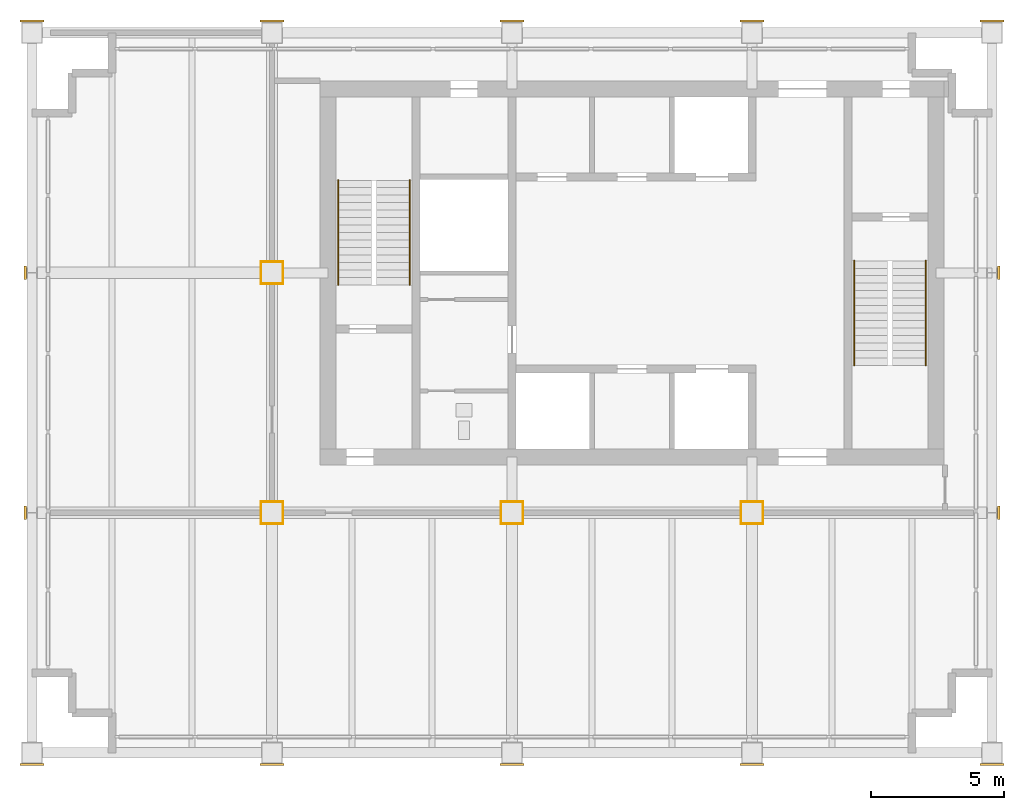
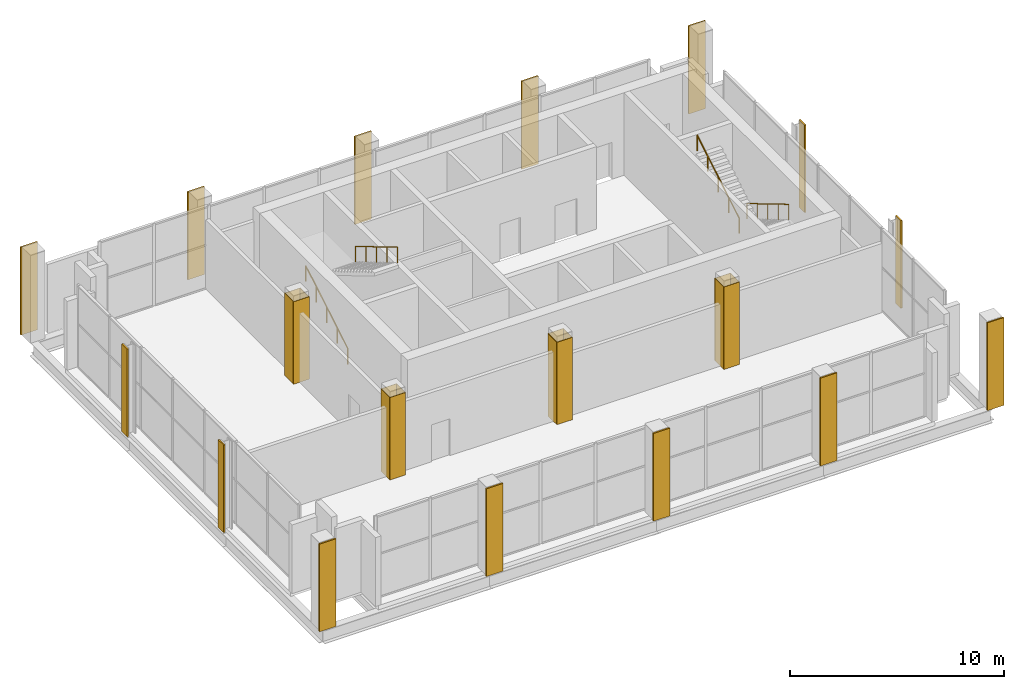
# One storey, part 9 of 10: 30 coverings, 4 railings.
"""IFC4 building model written with IfcOpenShell, lengths in metres."""

from ifc_helpers import new_model, si_unit, direction, frame, origin, origin_2d, place, context, subcontext, project, spatial, rectangle, circle, extrude, material, layer, layer_set, type_object, element, save


model = new_model("IFC4")

# Units and contexts
model_context = context("Model", 3, precision=1e-05, world=origin(), true_north=direction((0.0, 1.0)))
body_context = subcontext(model_context, "Body", "Model", "MODEL_VIEW")
ifc_project = project(units=[si_unit("LENGTHUNIT", "METRE"), si_unit("AREAUNIT", "SQUARE_METRE"), si_unit("VOLUMEUNIT", "CUBIC_METRE"), si_unit("PLANEANGLEUNIT", "RADIAN"), si_unit("MASSUNIT", "GRAM", prefix="KILO")], contexts=[model_context])

# Site, building, storey
site_placement = place(None, origin())
site = spatial("IfcSite", under=ifc_project, at=site_placement, CompositionType="ELEMENT")
building_placement = place(site_placement, origin())
building = spatial("IfcBuilding", under=site, at=building_placement, Name="Loomwork Tower", CompositionType="ELEMENT")
storey_placement = place(building_placement, frame((0.0, 0.0, 274.800048828125)))
storey = spatial("IfcBuildingStorey", under=building, at=storey_placement, Name="L75", CompositionType="ELEMENT", Elevation=274.800048828125)

# Coverings
ifc_material_1 = material(Name="Two-hour fire-rated gypsum board casing")
ifc_layer_1 = layer(ifc_material_1, 0.02490234375)
ifc_layer_set_1 = layer_set([ifc_layer_1], Name="Column fire casing 25")
covering_type_1 = type_object("IfcCoveringType", Name="Column fire casing 25", PredefinedType="CLADDING", material=ifc_layer_set_1)
for number, where, z_axis, x_axis, name in (
    (1, (9.0, 9.41259765625, 0.0), (0.0, 0.0, 1.0), (1.0, 0.0, 0.0), "Column casing 9 9 L75"),
    (2, (9.0, 8.58740234375, 0.0), (0.0, 0.0, 1.0), (1.0, 0.0, 0.0), "Column casing 9 9 L75"),
):
    element("IfcCovering", number, at=place(storey_placement, frame(where, z_axis=z_axis, x_axis=x_axis)), inside=storey, type_object=covering_type_1, Name=name, PredefinedType="CLADDING", context=body_context, shape_type="SweptSolid", body=[
        extrude(rectangle(XDim=0.85009765625, YDim=0.02490234375, at=origin_2d()), origin(), (0.0, 0.0, 1.0), 4.699951171875),
    ])
for number, where, z_axis, x_axis, name in (
    (3, (9.41259765625, 9.0, 0.0), (0.0, 0.0, 1.0), (1.0, 0.0, 0.0), "Column casing 9 9 L75"),
    (4, (8.58740234375, 9.0, 0.0), (0.0, 0.0, 1.0), (1.0, 0.0, 0.0), "Column casing 9 9 L75"),
):
    element("IfcCovering", number, at=place(storey_placement, frame(where, z_axis=z_axis, x_axis=x_axis)), inside=storey, type_object=covering_type_1, Name=name, PredefinedType="CLADDING", context=body_context, shape_type="SweptSolid", body=[
        extrude(rectangle(XDim=0.02490234375, YDim=0.800048828125, at=origin_2d()), origin(), (0.0, 0.0, 1.0), 4.699951171875),
    ])
for number, where, z_axis, x_axis, name in (
    (5, (9.0, 18.41259765625, 0.0), (0.0, 0.0, 1.0), (1.0, 0.0, 0.0), "Column casing 9 18 L75"),
    (6, (9.0, 17.58740234375, 0.0), (0.0, 0.0, 1.0), (1.0, 0.0, 0.0), "Column casing 9 18 L75"),
):
    element("IfcCovering", number, at=place(storey_placement, frame(where, z_axis=z_axis, x_axis=x_axis)), inside=storey, type_object=covering_type_1, Name=name, PredefinedType="CLADDING", context=body_context, shape_type="SweptSolid", body=[
        extrude(rectangle(XDim=0.85009765625, YDim=0.02490234375, at=origin_2d()), origin(), (0.0, 0.0, 1.0), 4.699951171875),
    ])
for number, where, z_axis, x_axis, name in (
    (7, (9.41259765625, 18.0, 0.0), (0.0, 0.0, 1.0), (1.0, 0.0, 0.0), "Column casing 9 18 L75"),
    (8, (8.58740234375, 18.0, 0.0), (0.0, 0.0, 1.0), (1.0, 0.0, 0.0), "Column casing 9 18 L75"),
):
    element("IfcCovering", number, at=place(storey_placement, frame(where, z_axis=z_axis, x_axis=x_axis)), inside=storey, type_object=covering_type_1, Name=name, PredefinedType="CLADDING", context=body_context, shape_type="SweptSolid", body=[
        extrude(rectangle(XDim=0.02490234375, YDim=0.800048828125, at=origin_2d()), origin(), (0.0, 0.0, 1.0), 4.699951171875),
    ])
for number, where, z_axis, x_axis, name in (
    (9, (18.0, 9.41259765625, 0.0), (0.0, 0.0, 1.0), (1.0, 0.0, 0.0), "Column casing 18 9 L75"),
    (10, (18.0, 8.58740234375, 0.0), (0.0, 0.0, 1.0), (1.0, 0.0, 0.0), "Column casing 18 9 L75"),
):
    element("IfcCovering", number, at=place(storey_placement, frame(where, z_axis=z_axis, x_axis=x_axis)), inside=storey, type_object=covering_type_1, Name=name, PredefinedType="CLADDING", context=body_context, shape_type="SweptSolid", body=[
        extrude(rectangle(XDim=0.85009765625, YDim=0.02490234375, at=origin_2d()), origin(), (0.0, 0.0, 1.0), 4.699951171875),
    ])
for number, where, z_axis, x_axis, name in (
    (11, (18.41259765625, 9.0, 0.0), (0.0, 0.0, 1.0), (1.0, 0.0, 0.0), "Column casing 18 9 L75"),
    (12, (17.58740234375, 9.0, 0.0), (0.0, 0.0, 1.0), (1.0, 0.0, 0.0), "Column casing 18 9 L75"),
):
    element("IfcCovering", number, at=place(storey_placement, frame(where, z_axis=z_axis, x_axis=x_axis)), inside=storey, type_object=covering_type_1, Name=name, PredefinedType="CLADDING", context=body_context, shape_type="SweptSolid", body=[
        extrude(rectangle(XDim=0.02490234375, YDim=0.800048828125, at=origin_2d()), origin(), (0.0, 0.0, 1.0), 4.699951171875),
    ])
for number, where, z_axis, x_axis, name in (
    (13, (27.0, 9.41259765625, 0.0), (0.0, 0.0, 1.0), (1.0, 0.0, 0.0), "Column casing 27 9 L75"),
    (14, (27.0, 8.58740234375, 0.0), (0.0, 0.0, 1.0), (1.0, 0.0, 0.0), "Column casing 27 9 L75"),
):
    element("IfcCovering", number, at=place(storey_placement, frame(where, z_axis=z_axis, x_axis=x_axis)), inside=storey, type_object=covering_type_1, Name=name, PredefinedType="CLADDING", context=body_context, shape_type="SweptSolid", body=[
        extrude(rectangle(XDim=0.85009765625, YDim=0.02490234375, at=origin_2d()), origin(), (0.0, 0.0, 1.0), 4.699951171875),
    ])
for number, where, z_axis, x_axis, name in (
    (15, (27.41259765625, 9.0, 0.0), (0.0, 0.0, 1.0), (1.0, 0.0, 0.0), "Column casing 27 9 L75"),
    (16, (26.58740234375, 9.0, 0.0), (0.0, 0.0, 1.0), (1.0, 0.0, 0.0), "Column casing 27 9 L75"),
):
    element("IfcCovering", number, at=place(storey_placement, frame(where, z_axis=z_axis, x_axis=x_axis)), inside=storey, type_object=covering_type_1, Name=name, PredefinedType="CLADDING", context=body_context, shape_type="SweptSolid", body=[
        extrude(rectangle(XDim=0.02490234375, YDim=0.800048828125, at=origin_2d()), origin(), (0.0, 0.0, 1.0), 4.699951171875),
    ])

# Railings
ifc_material_2 = material(Name="Stainless steel handrail", Category="steel")
railing_type = type_object("IfcRailingType", Name="Handrail 900", PredefinedType="HANDRAIL", material=ifc_material_2)
railing_1_placement = place(storey_placement, frame((11.485107421875, 17.550048828125, 0.166748046875)))
element("IfcRailing", 17, at=railing_1_placement, inside=storey, type_object=railing_type, Name="Stair A handrail flight 1 L75", PredefinedType="HANDRAIL", context=body_context, shape_type="SweptSolid", body=[
    extrude(circle(Radius=0.02392578125, at=origin_2d()), frame((0.0, 0.0, 0.8759765625), z_axis=(0.0, 0.859296244711, 0.511478214419), x_axis=(-1.0, 0.0, 0.0)), (0.0, 0.0, 1.0), 4.561767578125),
    extrude(circle(Radius=0.02099609375, at=origin_2d()), origin(), (0.0, 0.0, 1.0), 0.851806640625),
    extrude(circle(Radius=0.02099609375, at=origin_2d()), frame((0.0, 0.97998046875, 0.583251953125)), (0.0, 0.0, 1.0), 0.851806640625),
    extrude(circle(Radius=0.02099609375, at=origin_2d()), frame((0.0, 1.9599609375, 1.16650390625)), (0.0, 0.0, 1.0), 0.851806640625),
    extrude(circle(Radius=0.02099609375, at=origin_2d()), frame((0.0, 2.93994140625, 1.75)), (0.0, 0.0, 1.0), 0.851806640625),
    extrude(circle(Radius=0.02099609375, at=origin_2d()), frame((0.0, 3.919921875, 2.333251953125)), (0.0, 0.0, 1.0), 0.851806640625),
])
for number, where, name in (
    (18, (14.1650390625, 21.469970703125, 2.666748046875), "Stair A handrail flight 2 L75"),
    (19, (33.514892578125, 18.449951171875, 0.166748046875), "Stair B handrail flight 1 L75"),
):
    element("IfcRailing", number, at=place(storey_placement, frame(where)), inside=storey, type_object=railing_type, Name=name, PredefinedType="HANDRAIL", context=body_context, shape_type="SweptSolid", body=[
        extrude(circle(Radius=0.02392578125, at=origin_2d()), frame((0.0, 0.0, 0.8759765625), z_axis=(0.0, -0.859296244711, 0.511478214419), x_axis=(1.0, 0.0, 0.0)), (0.0, 0.0, 1.0), 4.561767578125),
        extrude(circle(Radius=0.02099609375, at=origin_2d()), origin(), (0.0, 0.0, 1.0), 0.851806640625),
        extrude(circle(Radius=0.02099609375, at=origin_2d()), frame((0.0, -0.97998046875, 0.583251953125)), (0.0, 0.0, 1.0), 0.851806640625),
        extrude(circle(Radius=0.02099609375, at=origin_2d()), frame((0.0, -1.9599609375, 1.16650390625)), (0.0, 0.0, 1.0), 0.851806640625),
        extrude(circle(Radius=0.02099609375, at=origin_2d()), frame((0.0, -2.93994140625, 1.75)), (0.0, 0.0, 1.0), 0.851806640625),
        extrude(circle(Radius=0.02099609375, at=origin_2d()), frame((0.0, -3.919921875, 2.333251953125)), (0.0, 0.0, 1.0), 0.851806640625),
    ])
railing_2_placement = place(storey_placement, frame((30.8349609375, 14.530029296875, 2.666748046875)))
element("IfcRailing", 20, at=railing_2_placement, inside=storey, type_object=railing_type, Name="Stair B handrail flight 2 L75", PredefinedType="HANDRAIL", context=body_context, shape_type="SweptSolid", body=[
    extrude(circle(Radius=0.02392578125, at=origin_2d()), frame((0.0, 0.0, 0.8759765625), z_axis=(0.0, 0.859296244711, 0.511478214419), x_axis=(-1.0, 0.0, 0.0)), (0.0, 0.0, 1.0), 4.561767578125),
    extrude(circle(Radius=0.02099609375, at=origin_2d()), origin(), (0.0, 0.0, 1.0), 0.851806640625),
    extrude(circle(Radius=0.02099609375, at=origin_2d()), frame((0.0, 0.97998046875, 0.583251953125)), (0.0, 0.0, 1.0), 0.851806640625),
    extrude(circle(Radius=0.02099609375, at=origin_2d()), frame((0.0, 1.9599609375, 1.16650390625)), (0.0, 0.0, 1.0), 0.851806640625),
    extrude(circle(Radius=0.02099609375, at=origin_2d()), frame((0.0, 2.93994140625, 1.75)), (0.0, 0.0, 1.0), 0.851806640625),
    extrude(circle(Radius=0.02099609375, at=origin_2d()), frame((0.0, 3.919921875, 2.333251953125)), (0.0, 0.0, 1.0), 0.851806640625),
])

# Coverings
ifc_material_3 = material(Name="Limestone", Category="masonry")
ifc_layer_2 = layer(ifc_material_3, 0.080078125)
ifc_layer_set_2 = layer_set([ifc_layer_2], Name="Limestone pier facing 80")
covering_type_2 = type_object("IfcCoveringType", Name="Limestone pier facing 80", PredefinedType="CLADDING", material=ifc_layer_set_2)
covering_1_placement = place(storey_placement, frame((0.0, -0.43994140625, 0.0), z_axis=(0.0, 0.0, 1.0), x_axis=(1.0, 0.0, 0.0)))
element("IfcCovering", 21, at=covering_1_placement, inside=storey, type_object=covering_type_2, Name="Pier facing D/2 L75", PredefinedType="CLADDING", context=body_context, shape_type="SweptSolid", body=[
    extrude(rectangle(XDim=0.89990234375, YDim=0.080078125, at=origin_2d()), origin(), (0.0, 0.0, 1.0), 5.0),
])
for number, where, z_axis, x_axis, name in (
    (22, (-0.252197265625, 9.0, 0.0), (0.0, 0.0, 1.0), (1.0, 0.0, 0.0), "Pier facing E/2 L75"),
    (23, (-0.252197265625, 18.0, 0.0), (0.0, 0.0, 1.0), (1.0, 0.0, 0.0), "Pier facing F/2 L75"),
):
    element("IfcCovering", number, at=place(storey_placement, frame(where, z_axis=z_axis, x_axis=x_axis)), inside=storey, type_object=covering_type_2, Name=name, PredefinedType="CLADDING", context=body_context, shape_type="SweptSolid", body=[
        extrude(rectangle(XDim=0.080078125, YDim=0.5087890625, at=origin_2d()), origin(), (0.0, 0.0, 1.0), 5.0),
    ])
for number, where, z_axis, x_axis, name in (
    (24, (0.0, 27.43994140625, 0.0), (0.0, 0.0, 1.0), (1.0, 0.0, 0.0), "Pier facing G/2 L75"),
    (25, (9.0, -0.43994140625, 0.0), (0.0, 0.0, 1.0), (1.0, 0.0, 0.0), "Pier facing D/3 L75"),
    (26, (9.0, 27.43994140625, 0.0), (0.0, 0.0, 1.0), (1.0, 0.0, 0.0), "Pier facing G/3 L75"),
    (27, (18.0, -0.43994140625, 0.0), (0.0, 0.0, 1.0), (1.0, 0.0, 0.0), "Pier facing D/4 L75"),
    (28, (18.0, 27.43994140625, 0.0), (0.0, 0.0, 1.0), (1.0, 0.0, 0.0), "Pier facing G/4 L75"),
    (29, (27.0, -0.43994140625, 0.0), (0.0, 0.0, 1.0), (1.0, 0.0, 0.0), "Pier facing D/5 L75"),
    (30, (27.0, 27.43994140625, 0.0), (0.0, 0.0, 1.0), (1.0, 0.0, 0.0), "Pier facing G/5 L75"),
    (31, (36.0, -0.43994140625, 0.0), (0.0, 0.0, 1.0), (1.0, 0.0, 0.0), "Pier facing D/6 L75"),
):
    element("IfcCovering", number, at=place(storey_placement, frame(where, z_axis=z_axis, x_axis=x_axis)), inside=storey, type_object=covering_type_2, Name=name, PredefinedType="CLADDING", context=body_context, shape_type="SweptSolid", body=[
        extrude(rectangle(XDim=0.89990234375, YDim=0.080078125, at=origin_2d()), origin(), (0.0, 0.0, 1.0), 5.0),
    ])
for number, where, z_axis, x_axis, name in (
    (32, (36.252197265625, 9.0, 0.0), (0.0, 0.0, 1.0), (1.0, 0.0, 0.0), "Pier facing E/6 L75"),
    (33, (36.252197265625, 18.0, 0.0), (0.0, 0.0, 1.0), (1.0, 0.0, 0.0), "Pier facing F/6 L75"),
):
    element("IfcCovering", number, at=place(storey_placement, frame(where, z_axis=z_axis, x_axis=x_axis)), inside=storey, type_object=covering_type_2, Name=name, PredefinedType="CLADDING", context=body_context, shape_type="SweptSolid", body=[
        extrude(rectangle(XDim=0.080078125, YDim=0.5087890625, at=origin_2d()), origin(), (0.0, 0.0, 1.0), 5.0),
    ])
covering_2_placement = place(storey_placement, frame((36.0, 27.43994140625, 0.0), z_axis=(0.0, 0.0, 1.0), x_axis=(1.0, 0.0, 0.0)))
element("IfcCovering", 34, at=covering_2_placement, inside=storey, type_object=covering_type_2, Name="Pier facing G/6 L75", PredefinedType="CLADDING", context=body_context, shape_type="SweptSolid", body=[
    extrude(rectangle(XDim=0.89990234375, YDim=0.080078125, at=origin_2d()), origin(), (0.0, 0.0, 1.0), 5.0),
])

save(model, "model.ifc")
